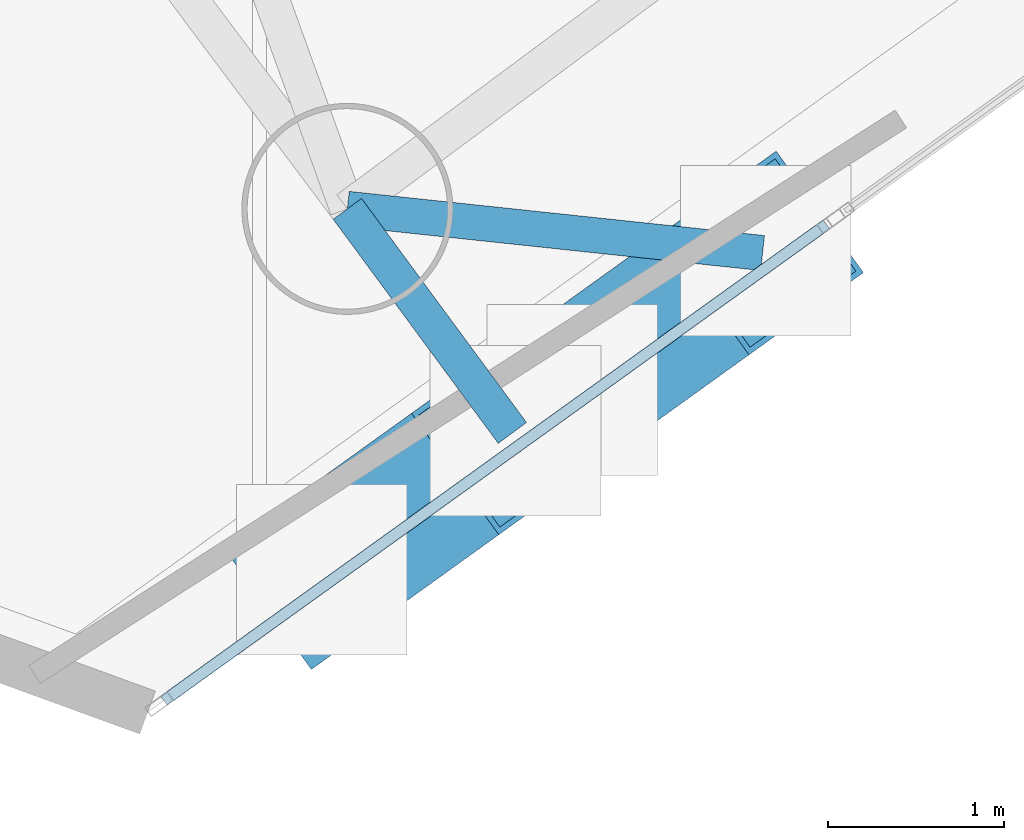
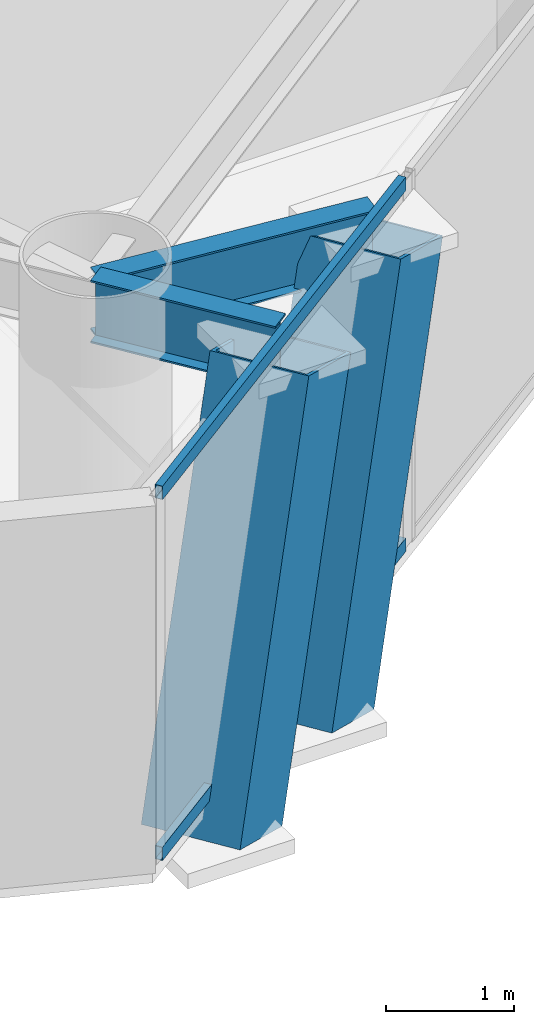
# One storey, part 3 of 22: 4 members, 2 beams, 1 element without a shape of its own.
"""IFC4 building model written with IfcOpenShell, lengths in metres."""

from ifc_helpers import new_model, si_unit, direction, frame, origin, origin_2d, place, context, subcontext, project, spatial, hollow_rectangle, i_section, extrude, material, layer, layer_set, material_profile, profile_set, type_object, element, aggregate, save


model = new_model("IFC4")

# Units and contexts
model_context = context("Model", 3, precision=1e-05, world=origin(), true_north=direction((0.0, 1.0)))
body_context = subcontext(model_context, "Body", "Model", "MODEL_VIEW")
ifc_project = project(units=[si_unit("LENGTHUNIT", "METRE"), si_unit("AREAUNIT", "SQUARE_METRE"), si_unit("VOLUMEUNIT", "CUBIC_METRE"), si_unit("PLANEANGLEUNIT", "RADIAN"), si_unit("MASSUNIT", "GRAM", prefix="KILO")], contexts=[model_context])

# Site, building, storey
site_placement = place(None, origin())
site = spatial("IfcSite", under=ifc_project, at=site_placement, CompositionType="ELEMENT")
building_placement = place(site_placement, origin())
building = spatial("IfcBuilding", under=site, at=building_placement, Name="Qianvela Tower", CompositionType="ELEMENT")
storey_placement = place(building_placement, frame((0.0, 0.0, 204.0)))
storey = spatial("IfcBuildingStorey", under=building, at=storey_placement, Name="L52", CompositionType="ELEMENT", Elevation=204.0)

# Beams
ifc_material_1 = material(Name="Steel Q355B", Category="steel")
ifc_material_profile_1 = material_profile(ifc_material_1, i_section(OverallWidth=0.199951171875, OverallDepth=0.60009765625, WebThickness=0.010986328125, FlangeThickness=0.01708984375, at=origin_2d()), Name="HN600x200x11x17")
ifc_profile_set_1 = profile_set([ifc_material_profile_1], Name="Steel Q355B")
beam_type = type_object("IfcBeamType", Name="BM-HN600-GIRD", PredefinedType="BEAM", material=ifc_profile_set_1)
beam_1_placement = place(storey_placement, frame((33.4130859375, 10.531005859375, 3.218017578125), z_axis=(0.593014791991, -0.805191565082, 0.0), x_axis=(0.805191565082, 0.593014791991, 0.0)))
element("IfcBeam", 1, at=beam_1_placement, inside=storey, type_object=beam_type, Name="L52 Mega-Brace Column Tie Bracket F3-1", PredefinedType="BEAM", context=body_context, shape_type="SweptSolid", body=[
    extrude(i_section(OverallWidth=0.199951171875, OverallDepth=0.60009765625, WebThickness=0.010986328125, FlangeThickness=0.01708984375, at=origin_2d()), origin(), (0.0, 0.0, 1.0), 1.58203125),
])
beam_2_placement = place(storey_placement, frame((33.4130859375, 10.531005859375, 3.218017578125), z_axis=(0.99439788472, -0.105701688087, 0.0), x_axis=(0.105701688087, 0.99439788472, 0.0)))
element("IfcBeam", 2, at=beam_2_placement, inside=storey, type_object=beam_type, Name="L52 Mega-Brace Column Tie Bracket F3-2", PredefinedType="BEAM", context=body_context, shape_type="SweptSolid", body=[
    extrude(i_section(OverallWidth=0.199951171875, OverallDepth=0.60009765625, WebThickness=0.010986328125, FlangeThickness=0.01708984375, at=origin_2d()), origin(), (0.0, 0.0, 1.0), 2.374267578125),
])

# Curtain wall, members
ifc_material_2 = material(Name="Anodised Architectural Aluminium and Insulated Spandrel Panel", Category="aluminium")
ifc_layer = layer(ifc_material_2, 0.179931640625)
ifc_layer_set = layer_set([ifc_layer], Name="Anodised Architectural Aluminium and Insulated Spandrel Panel")
curtain_wall_type = type_object("IfcCurtainWallType", Name="CW-BRACEBAY", PredefinedType="USERDEFINED", material=ifc_layer_set)
curtain_wall_placement = place(storey_placement, origin())
curtain_wall = element("IfcCurtainWall", 3, at=curtain_wall_placement, inside=storey, type_object=curtain_wall_type, Name="L52 CW-BRACEBAY Curtain Wall 06A", ObjectType="CURTAIN_WALL_SYSTEM", PredefinedType="USERDEFINED")
ifc_material_3 = material(Name="Anodised Architectural Aluminium 6063-T6", Category="aluminium")
ifc_material_profile_2 = material_profile(ifc_material_3, hollow_rectangle(XDim=0.06494140625, YDim=0.1298828125, WallThickness=0.00439453125, at=origin_2d()), Name="ALU-TRAN-65x130")
ifc_profile_set_2 = profile_set([ifc_material_profile_2], Name="Anodised Architectural Aluminium 6063-T6")
member_type_1 = type_object("IfcMemberType", Name="CW-BRACEBAY-TRAN", PredefinedType="USERDEFINED", material=ifc_profile_set_2)
member_1_placement = place(storey_placement, frame((32.369873046875, 7.734130859375, 0.032470703125), z_axis=(0.811959262677, 0.583714104467, 0.0), x_axis=(-0.583714104467, 0.811959262677, 0.0)))
member_1 = element("IfcMember", 4, at=member_1_placement, type_object=member_type_1, Name="CW-9 transom 1.1", ObjectType="TRANSOM", PredefinedType="USERDEFINED", context=body_context, shape_type="SweptSolid", body=[
    extrude(hollow_rectangle(XDim=0.06494140625, YDim=0.1298828125, WallThickness=0.00439453125, at=origin_2d()), origin(), (0.0, 0.0, 1.0), 4.64013671875),
])
member_2_placement = place(storey_placement, frame((32.369873046875, 7.734130859375, 3.487548828125), z_axis=(0.811959262677, 0.583714104467, 0.0), x_axis=(-0.583714104467, 0.811959262677, 0.0)))
member_2 = element("IfcMember", 5, at=member_2_placement, type_object=member_type_1, Name="CW-9 transom 1.2", ObjectType="TRANSOM", PredefinedType="USERDEFINED", context=body_context, shape_type="SweptSolid", body=[
    extrude(hollow_rectangle(XDim=0.06494140625, YDim=0.1298828125, WallThickness=0.00439453125, at=origin_2d()), origin(), (0.0, 0.0, 1.0), 4.64013671875),
])
aggregate(curtain_wall, [member_1, member_2])

# Members
ifc_material_4 = material(Name="Steel Q420GJC", Category="steel")
ifc_material_profile_3 = material_profile(ifc_material_4, hollow_rectangle(XDim=0.85009765625, YDim=0.85009765625, WallThickness=0.031982421875, at=origin_2d()), Name="MBOX-850x850x32")
ifc_profile_set_3 = profile_set([ifc_material_profile_3], Name="Steel Q420GJC")
member_type_2 = type_object("IfcMemberType", Name="MBR-MBRACE-850", PredefinedType="BRACE", material=ifc_profile_set_3)
member_3_placement = place(storey_placement, frame((33.285400390625, 8.49072265625, -0.48193359375), z_axis=(0.271505389179, 0.195202798129, 0.942433388229), x_axis=(-0.583750999483, 0.811932737733, 0.0)))
element("IfcMember", 6, at=member_3_placement, inside=storey, type_object=member_type_2, Name="L52 Tier 8 Exterior Mega-Brace F3A", PredefinedType="BRACE", context=body_context, shape_type="SweptSolid", body=[
    extrude(hollow_rectangle(XDim=0.85009765625, YDim=0.85009765625, WallThickness=0.031982421875, at=origin_2d()), origin(), (0.0, 0.0, 1.0), 3.926025390625),
])
member_4_placement = place(storey_placement, frame((34.70849609375, 9.513916015625, -0.48193359375), z_axis=(0.271451080228, 0.195146274858, 0.942460737883), x_axis=(-0.583716536202, 0.811957514507, 0.0)))
element("IfcMember", 7, at=member_4_placement, inside=storey, type_object=member_type_2, Name="L52 Tier 8 Exterior Mega-Brace F3B", PredefinedType="BRACE", context=body_context, shape_type="SweptSolid", body=[
    extrude(hollow_rectangle(XDim=0.85009765625, YDim=0.85009765625, WallThickness=0.031982421875, at=origin_2d()), origin(), (0.0, 0.0, 1.0), 3.92578125),
])

save(model, "model.ifc")
